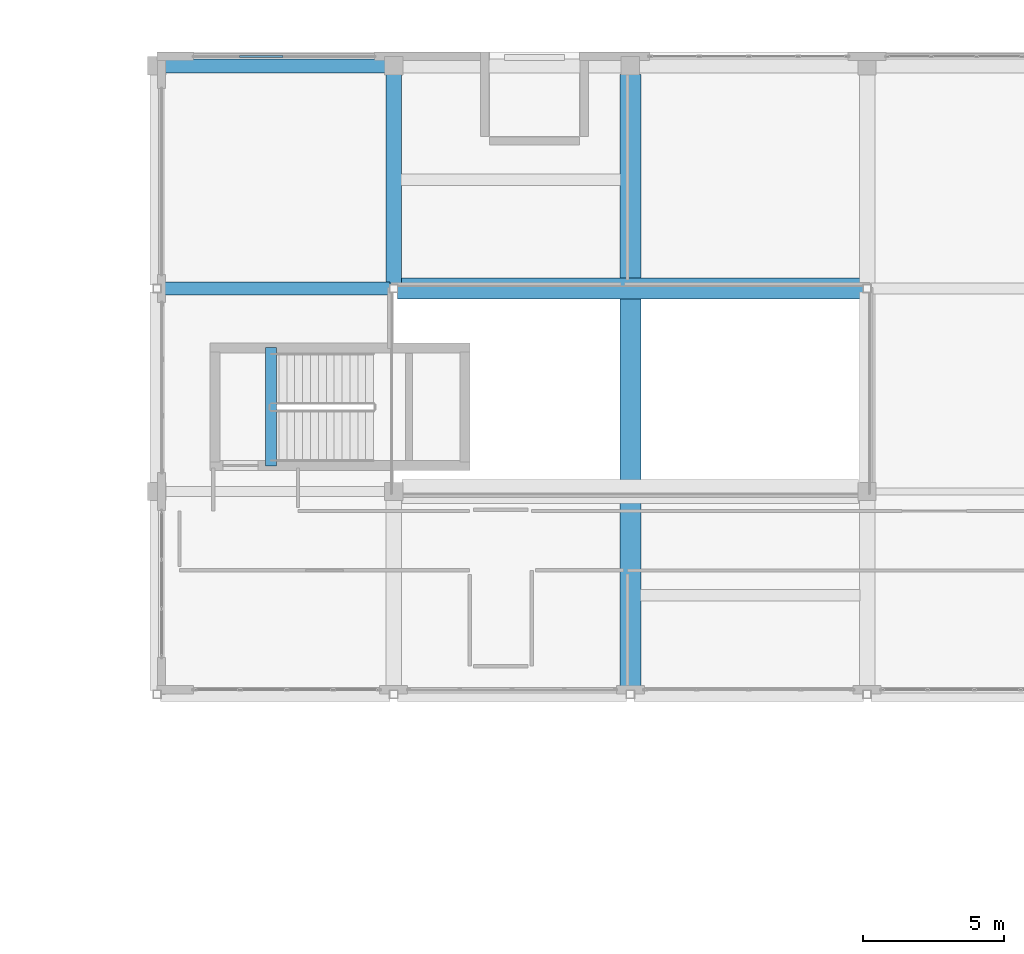
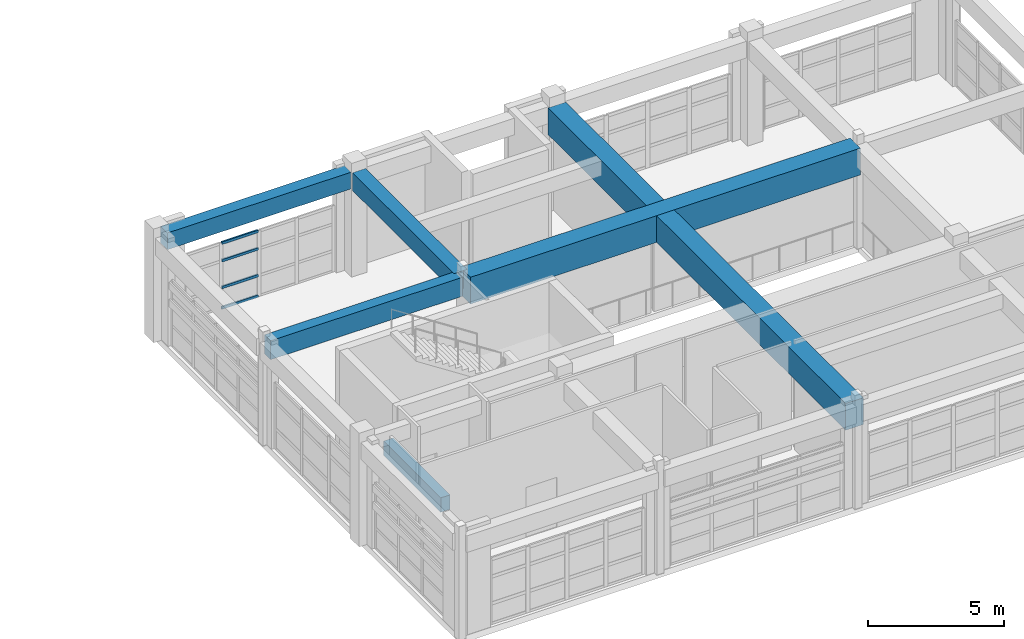
# One storey, part 62 of 103: 6 beams, 4 members, 1 element without a shape of its own.
"""IFC4 building model written with IfcOpenShell, lengths in metres."""

from ifc_helpers import new_model, si_unit, direction, frame, origin, origin_2d, place, context, subcontext, project, spatial, rectangle, hollow_rectangle, extrude, material, layer, layer_set, material_profile, profile_set, type_object, element, aggregate, save


model = new_model("IFC4")

# Units and contexts
model_context = context("Model", 3, precision=1e-05, world=origin(), true_north=direction((0.0, 1.0)))
body_context = subcontext(model_context, "Body", "Model", "MODEL_VIEW")
ifc_project = project(units=[si_unit("LENGTHUNIT", "METRE"), si_unit("AREAUNIT", "SQUARE_METRE"), si_unit("VOLUMEUNIT", "CUBIC_METRE"), si_unit("PLANEANGLEUNIT", "RADIAN"), si_unit("MASSUNIT", "GRAM", prefix="KILO")], contexts=[model_context])

# Site, building, storey
site_placement = place(None, origin())
site = spatial("IfcSite", under=ifc_project, at=site_placement, CompositionType="ELEMENT")
building_placement = place(site_placement, origin())
building = spatial("IfcBuilding", under=site, at=building_placement, Name="Quendrovan Civic Courthouse", CompositionType="ELEMENT")
storey_placement = place(building_placement, frame((0.0, 0.0, 15.300048828125)))
storey = spatial("IfcBuildingStorey", under=building, at=storey_placement, Name="L04", CompositionType="ELEMENT", Elevation=15.300048828125)

# Beams
ifc_material_1 = material(Name="Post-tensioned concrete C50/60", Category="concrete")
ifc_material_profile_1 = material_profile(ifc_material_1, rectangle(XDim=0.75, YDim=1.199951171875, at=origin_2d()), Name="PT-GIRD-750x1200")
ifc_profile_set_1 = profile_set([ifc_material_profile_1], Name="Post-tensioned concrete C50/60")
beam_type_1 = type_object("IfcBeamType", Name="BM-PT1200", PredefinedType="BEAM", material=ifc_profile_set_1)
beam_1_placement = place(storey_placement, frame((117.72998046875, 102.0, 4.06005859375), z_axis=(1.0, 0.0, 0.0), x_axis=(0.0, 1.0, 0.0)))
element("IfcBeam", 1, at=beam_1_placement, inside=storey, type_object=beam_type_1, Name="L04 Girder X0923", PredefinedType="BEAM", context=body_context, shape_type="SweptSolid", body=[
    extrude(rectangle(XDim=0.75, YDim=1.199951171875, at=origin_2d()), origin(), (0.0, 0.0, 1.0), 16.5400390625),
])
beam_2_placement = place(storey_placement, frame((126.0, 87.72998046875, 4.06005859375), z_axis=(0.0, 1.0, 0.0), x_axis=(-1.0, 0.0, 0.0)))
element("IfcBeam", 2, at=beam_2_placement, inside=storey, type_object=beam_type_1, Name="L04 Girder Y0991", PredefinedType="BEAM", context=body_context, shape_type="SweptSolid", body=[
    extrude(rectangle(XDim=0.75, YDim=1.199951171875, at=origin_2d()), origin(), (0.0, 0.0, 1.0), 21.864990234375),
])
ifc_material_2 = material(Name="Concrete C40/50", Category="concrete")
ifc_material_profile_2 = material_profile(ifc_material_2, rectangle(XDim=0.39990234375, YDim=0.64990234375, at=origin_2d()), Name="RC-BM-400x650")
ifc_profile_set_2 = profile_set([ifc_material_profile_2], Name="Concrete C40/50")
beam_type_2 = type_object("IfcBeamType", Name="BM-RC650", PredefinedType="JOIST", material=ifc_profile_set_2)
beam_3_placement = place(storey_placement, frame((113.25, 95.699951171875, -0.324951171875), z_axis=(0.0, 1.0, 0.0), x_axis=(-1.0, 0.0, 0.0)))
element("IfcBeam", 3, at=beam_3_placement, inside=storey, type_object=beam_type_2, Name="L04 Stair ST6 Landing Trimmer Beam", PredefinedType="JOIST", context=body_context, shape_type="SweptSolid", body=[
    extrude(rectangle(XDim=0.39990234375, YDim=0.64990234375, at=origin_2d()), origin(), (0.0, 0.0, 1.0), 4.199951171875),
])
ifc_material_profile_3 = material_profile(ifc_material_2, rectangle(XDim=0.5, YDim=0.75, at=origin_2d()), Name="RC-BM-500x750")
ifc_profile_set_3 = profile_set([ifc_material_profile_3], Name="Concrete C40/50")
beam_type_3 = type_object("IfcBeamType", Name="BM-RC750", PredefinedType="SPANDREL", material=ifc_profile_set_3)
beam_4_placement = place(storey_placement, frame((109.5048828125, 109.89990234375, 4.284912109375), z_axis=(1.0, 0.0, 0.0), x_axis=(0.0, 1.0, 0.0)))
element("IfcBeam", 4, at=beam_4_placement, inside=storey, type_object=beam_type_3, Name="L04 Girder X0932", PredefinedType="SPANDREL", context=body_context, shape_type="SweptSolid", body=[
    extrude(rectangle(XDim=0.5, YDim=0.75, at=origin_2d()), origin(), (0.0, 0.0, 1.0), 7.7900390625),
])
ifc_material_profile_4 = material_profile(ifc_material_2, rectangle(XDim=0.550048828125, YDim=0.800048828125, at=origin_2d()), Name="RC-BM-550x800")
ifc_profile_set_4 = profile_set([ifc_material_profile_4], Name="Concrete C40/50")
beam_type_4 = type_object("IfcBeamType", Name="BM-RC800", PredefinedType="BEAM", material=ifc_profile_set_4)
beam_5_placement = place(storey_placement, frame((117.60009765625, 102.1298828125, 4.260009765625), z_axis=(0.0, 1.0, 0.0), x_axis=(-1.0, 0.0, 0.0)))
element("IfcBeam", 5, at=beam_5_placement, inside=storey, type_object=beam_type_4, Name="L04 Girder Y0990", PredefinedType="BEAM", context=body_context, shape_type="SweptSolid", body=[
    extrude(rectangle(XDim=0.550048828125, YDim=0.800048828125, at=origin_2d()), origin(), (0.0, 0.0, 1.0), 7.465087890625),
])
ifc_material_3 = material(Name="Concrete C45/55", Category="concrete")
ifc_material_profile_5 = material_profile(ifc_material_3, rectangle(XDim=0.449951171875, YDim=0.85009765625, at=origin_2d()), Name="RC-BM-450x850")
ifc_profile_set_5 = profile_set([ifc_material_profile_5], Name="Concrete C45/55")
beam_type_5 = type_object("IfcBeamType", Name="BM-RC850", PredefinedType="BEAM", material=ifc_profile_set_5)
beam_6_placement = place(storey_placement, frame((109.330078125, 102.0, 4.23486328125), z_axis=(1.0, 0.0, 0.0), x_axis=(0.0, 1.0, 0.0)))
element("IfcBeam", 6, at=beam_6_placement, inside=storey, type_object=beam_type_5, Name="L04 Girder X0922", PredefinedType="BEAM", context=body_context, shape_type="SweptSolid", body=[
    extrude(rectangle(XDim=0.449951171875, YDim=0.85009765625, at=origin_2d()), origin(), (0.0, 0.0, 1.0), 8.139892578125),
])

# Curtain wall, members
ifc_material_4 = material(Name="Bronze anodised aluminium and low-E glass", Category="aluminium")
ifc_layer = layer(ifc_material_4, 0.179931640625, Name="Bronze anodised aluminium and low-E glass")
ifc_layer_set = layer_set([ifc_layer], Name="Bronze anodised aluminium and low-E glass")
curtain_wall_type = type_object("IfcCurtainWallType", Name="CW-U64x30", PredefinedType="USERDEFINED", material=ifc_layer_set)
curtain_wall_placement = place(storey_placement, origin())
curtain_wall = element("IfcCurtainWall", 7, at=curtain_wall_placement, inside=storey, type_object=curtain_wall_type, Name="L04 Unitised Hurricane Curtain Wall CW-167", ObjectType="UNITISED CURTAIN WALL", PredefinedType="USERDEFINED")
ifc_material_5 = material(Name="Bronze anodised aluminium", Category="aluminium")
ifc_material_profile_6 = material_profile(ifc_material_5, hollow_rectangle(XDim=0.06494140625, YDim=0.114990234375, WallThickness=0.00390625, at=origin_2d()), Name="CW-TRAN-65x115")
ifc_profile_set_6 = profile_set([ifc_material_profile_6], Name="Bronze anodised aluminium")
member_type = type_object("IfcMemberType", Name="CW-TRAN-B", PredefinedType="USERDEFINED", material=ifc_profile_set_6)
member_1_placement = place(storey_placement, frame((112.138671875, 110.235107421875, 0.032470703125), z_axis=(1.0, 0.0, 0.0), x_axis=(0.0, 1.0, 0.0)))
member_1 = element("IfcMember", 8, at=member_1_placement, type_object=member_type, Name="CW-167 transom 2.1", ObjectType="TRANSOM", PredefinedType="USERDEFINED", context=body_context, shape_type="SweptSolid", body=[
    extrude(hollow_rectangle(XDim=0.06494140625, YDim=0.114990234375, WallThickness=0.00390625, at=origin_2d()), origin(), (0.0, 0.0, 1.0), 1.541259765625),
])
member_2_placement = place(storey_placement, frame((112.138671875, 110.235107421875, 0.949951171875), z_axis=(1.0, 0.0, 0.0), x_axis=(0.0, 1.0, 0.0)))
member_2 = element("IfcMember", 9, at=member_2_placement, type_object=member_type, Name="CW-167 transom 2.2", ObjectType="TRANSOM", PredefinedType="USERDEFINED", context=body_context, shape_type="SweptSolid", body=[
    extrude(hollow_rectangle(XDim=0.06494140625, YDim=0.114990234375, WallThickness=0.00390625, at=origin_2d()), origin(), (0.0, 0.0, 1.0), 1.541259765625),
])
member_3_placement = place(storey_placement, frame((112.138671875, 110.235107421875, 2.14990234375), z_axis=(1.0, 0.0, 0.0), x_axis=(0.0, 1.0, 0.0)))
member_3 = element("IfcMember", 10, at=member_3_placement, type_object=member_type, Name="CW-167 transom 2.3", ObjectType="TRANSOM", PredefinedType="USERDEFINED", context=body_context, shape_type="SweptSolid", body=[
    extrude(hollow_rectangle(XDim=0.06494140625, YDim=0.114990234375, WallThickness=0.00390625, at=origin_2d()), origin(), (0.0, 0.0, 1.0), 1.541259765625),
])
member_4_placement = place(storey_placement, frame((112.138671875, 110.235107421875, 2.9375), z_axis=(1.0, 0.0, 0.0), x_axis=(0.0, 1.0, 0.0)))
member_4 = element("IfcMember", 11, at=member_4_placement, type_object=member_type, Name="CW-167 transom 2.4", ObjectType="TRANSOM", PredefinedType="USERDEFINED", context=body_context, shape_type="SweptSolid", body=[
    extrude(hollow_rectangle(XDim=0.06494140625, YDim=0.114990234375, WallThickness=0.00390625, at=origin_2d()), origin(), (0.0, 0.0, 1.0), 1.541259765625),
])
aggregate(curtain_wall, [member_1, member_2, member_3, member_4])

save(model, "model.ifc")
